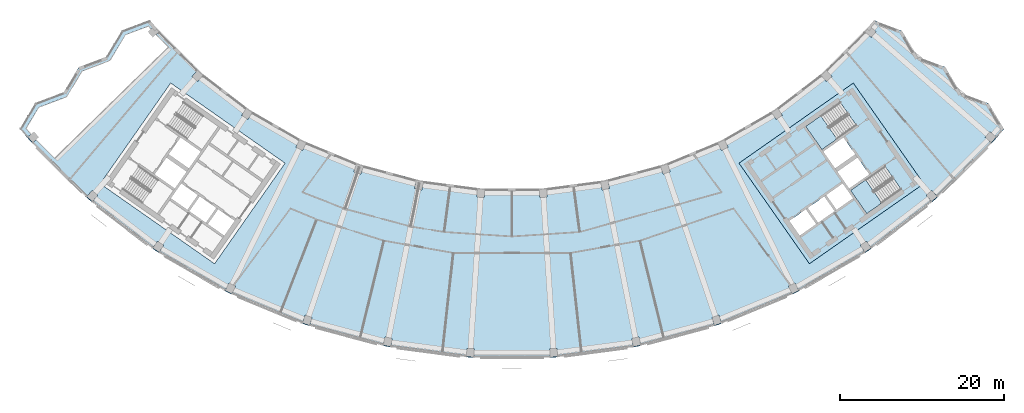
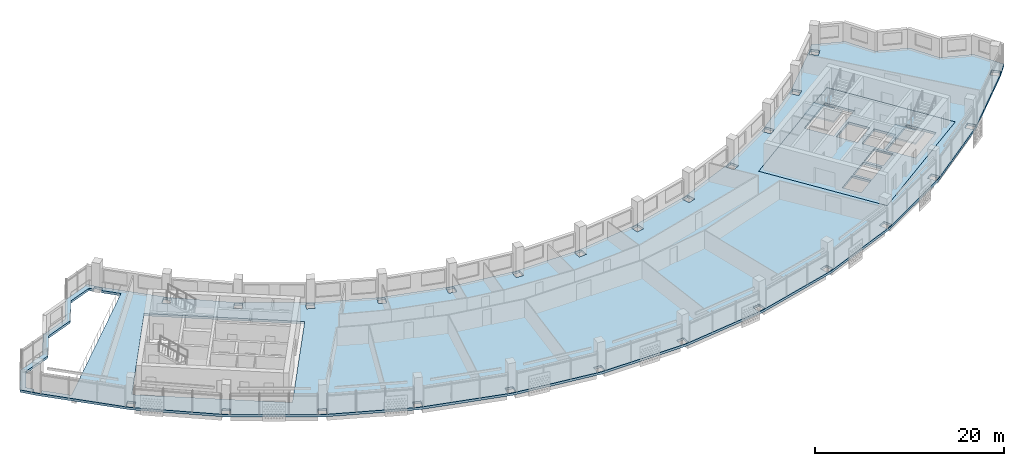
# One storey, part 2 of 29: 4 slabs, 2 elements without a shape of their own.
"""IFC4 building model written with IfcOpenShell, lengths in metres."""

from ifc_helpers import new_model, si_unit, direction, frame, origin, place, context, subcontext, project, spatial, polyline, outline, extrude, material, layer, layer_set, type_object, element, aggregate, save


model = new_model("IFC4")

# Units and contexts
model_context = context("Model", 3, precision=1e-05, world=origin(), true_north=direction((0.0, 1.0)))
body_context = subcontext(model_context, "Body", "Model", "MODEL_VIEW")
ifc_project = project(units=[si_unit("LENGTHUNIT", "METRE"), si_unit("AREAUNIT", "SQUARE_METRE"), si_unit("VOLUMEUNIT", "CUBIC_METRE"), si_unit("PLANEANGLEUNIT", "RADIAN"), si_unit("MASSUNIT", "GRAM", prefix="KILO")], contexts=[model_context])

# Site, building, storey
site_placement = place(None, origin())
site = spatial("IfcSite", under=ifc_project, at=site_placement, CompositionType="ELEMENT")
building_placement = place(site_placement, origin())
building = spatial("IfcBuilding", under=site, at=building_placement, Name="Qamariyya Broadcast Tower", CompositionType="ELEMENT")
storey_placement = place(building_placement, frame((0.0, 0.0, 261.89990234375)))
storey = spatial("IfcBuildingStorey", under=building, at=storey_placement, Name="L63", CompositionType="ELEMENT", Elevation=261.89990234375)

# Slabs
ifc_material_1 = material(Name="Concrete C40/50", Category="concrete")
ifc_layer_1 = layer(ifc_material_1, 0.300048828125)
ifc_layer_set_1 = layer_set([ifc_layer_1], Name="Core floor slab 300 mm Concrete C40/50")
slab_type_1 = type_object("IfcSlabType", Name="Core floor slab 300 mm Concrete C40/50", PredefinedType="FLOOR", material=ifc_layer_set_1)
slab_1_placement = place(storey_placement, frame((0.0, 0.0, -0.2998046875)))
element("IfcSlab", 1, at=slab_1_placement, inside=storey, type_object=slab_type_1, Name="k-E-L63-slab", PredefinedType="FLOOR", context=body_context, shape_type="SweptSolid", body=[
    extrude(outline(polyline([(36.32373046875, -66.734375), (50.286376953125, -56.95751953125), (41.6826171875, -44.67041015625), (27.719970703125, -54.447021484375), (36.32373046875, -66.734375)]), holes=[polyline([(33.87353515625, -61.49169921875), (35.88037109375, -60.08642578125), (37.142333984375, -61.888427734375), (35.13525390625, -63.293701171875), (33.87353515625, -61.49169921875)]), polyline([(36.126220703125, -59.914306640625), (38.133056640625, -58.509033203125), (39.394775390625, -60.311279296875), (37.387939453125, -61.716552734375), (36.126220703125, -59.914306640625)]), polyline([(38.378662109375, -58.3369140625), (40.3857421875, -56.931640625), (41.6474609375, -58.73388671875), (39.640625, -60.13916015625), (38.378662109375, -58.3369140625)]), polyline([(39.742431640625, -55.489990234375), (42.199951171875, -53.769287109375), (43.6337890625, -55.817138671875), (41.17626953125, -57.537841796875), (39.742431640625, -55.489990234375)]), polyline([(39.45556640625, -55.080322265625), (41.9130859375, -53.359619140625), (40.47900390625, -51.311767578125), (38.021728515625, -53.032470703125), (39.45556640625, -55.080322265625)]), polyline([(40.082275390625, -47.01171875), (35.870849609375, -49.960693359375), (37.849609375, -52.78662109375), (42.06103515625, -49.837890625), (40.082275390625, -47.01171875)]), polyline([(45.559814453125, -54.834716796875), (41.348388671875, -57.783447265625), (43.3271484375, -60.609619140625), (47.538818359375, -57.66064453125), (45.559814453125, -54.834716796875)])]), origin(), (0.0, 0.0, 1.0), 0.2998046875),
])
ifc_layer_2 = layer(ifc_material_1, 0.300048828125)
ifc_layer_set_2 = layer_set([ifc_layer_2], Name="Post-tensioned floor slab 300 C40/50")
slab_type_2 = type_object("IfcSlabType", Name="Post-tensioned floor slab 300 C40/50", PredefinedType="FLOOR", material=ifc_layer_set_2)
slab_2_placement = place(storey_placement, frame((0.0, 0.0, -0.2998046875)))
element("IfcSlab", 2, at=slab_2_placement, inside=storey, type_object=slab_type_2, Name="Floor slab S4 L63", PredefinedType="FLOOR", context=body_context, shape_type="SweptSolid", body=[
    extrude(outline(polyline([(-58.20361328125, -47.141845703125), (-60.086669921875, -50.2822265625), (-58.90673828125, -51.65966796875), (-51.65966796875, -58.90673828125), (-43.52880859375, -65.145751953125), (-34.6533203125, -70.27001953125), (-25.184814453125, -74.19189453125), (-15.285400390625, -76.844482421875), (-5.124267578125, -78.18212890625), (5.124267578125, -78.18212890625), (15.285400390625, -76.844482421875), (25.184814453125, -74.19189453125), (34.6533203125, -70.27001953125), (43.52880859375, -65.145751953125), (51.65966796875, -58.90673828125), (58.90673828125, -51.65966796875), (60.086669921875, -50.2822265625), (58.20361328125, -47.141845703125), (54.795166015625, -45.854248046875), (52.9111328125, -42.713134765625), (49.50341796875, -41.426025390625), (47.61865234375, -38.2841796875), (44.2119140625, -36.997802734375), (43.343505859375, -38.01123046875), (38.01123046875, -43.343505859375), (32.028564453125, -47.934326171875), (25.498046875, -51.704833984375), (18.531005859375, -54.590576171875), (11.2470703125, -56.542236328125), (3.7705078125, -57.526611328125), (-3.7705078125, -57.526611328125), (-11.2470703125, -56.542236328125), (-18.531005859375, -54.590576171875), (-25.498046875, -51.704833984375), (-32.028564453125, -47.934326171875), (-38.01123046875, -43.343505859375), (-43.343505859375, -38.01123046875), (-44.2119140625, -36.997802734375), (-47.61865234375, -38.2841796875), (-49.50341796875, -41.426025390625), (-52.9111328125, -42.713134765625), (-54.795166015625, -45.854248046875), (-58.20361328125, -47.141845703125)]), holes=[polyline([(-4.668701171875, -78.11181640625), (-5.56689453125, -78.052978515625), (-5.50146484375, -77.05517578125), (-4.603271484375, -77.114013671875), (-4.668701171875, -78.11181640625)]), polyline([(-15.707275390625, -76.65869140625), (-15.511962890625, -75.677978515625), (-14.62939453125, -75.853515625), (-14.824462890625, -76.834228515625), (-15.707275390625, -76.65869140625)]), polyline([(-25.578857421875, -73.95263671875), (-25.25732421875, -73.005615234375), (-24.405029296875, -73.294921875), (-24.7265625, -74.241943359375), (-25.578857421875, -73.95263671875)]), polyline([(-35.0126953125, -69.981201171875), (-34.5703125, -69.08447265625), (-33.76318359375, -69.482421875), (-34.20556640625, -70.37939453125), (-35.0126953125, -69.981201171875)]), polyline([(-43.847412109375, -64.8125), (-43.2919921875, -63.98095703125), (-42.543701171875, -64.48095703125), (-43.09912109375, -65.3125), (-43.847412109375, -64.8125)]), polyline([(-51.93212890625, -58.53466796875), (-51.272705078125, -57.782958984375), (-50.59619140625, -58.376220703125), (-51.25537109375, -59.128173828125), (-51.93212890625, -58.53466796875)]), polyline([(-4.29150390625, -58.5947265625), (-4.22607421875, -57.596923828125), (-3.327880859375, -57.65576171875), (-3.393310546875, -58.653564453125), (-4.29150390625, -58.5947265625)]), polyline([(-11.90283203125, -57.533447265625), (-11.707763671875, -56.552490234375), (-10.8251953125, -56.72802734375), (-11.020263671875, -57.708984375), (-11.90283203125, -57.533447265625)]), polyline([(-50.286376953125, -56.95751953125), (-41.6826171875, -44.67041015625), (-27.719970703125, -54.447021484375), (-36.32373046875, -66.734375), (-50.286376953125, -56.95751953125)]), polyline([(-19.310791015625, -55.487548828125), (-18.9892578125, -54.54052734375), (-18.136962890625, -54.829833984375), (-18.45849609375, -55.77685546875), (-19.310791015625, -55.487548828125)]), polyline([(-26.387939453125, -52.4921875), (-25.94580078125, -51.595458984375), (-25.138671875, -51.993408203125), (-25.580810546875, -52.890380859375), (-26.387939453125, -52.4921875)]), polyline([(-58.748291015625, -50.92236328125), (-59.349853515625, -50.22021484375), (-57.79638671875, -47.62939453125), (-54.5830078125, -46.41552734375), (-54.5302734375, -46.392578125), (-54.480224609375, -46.364990234375), (-54.432861328125, -46.33251953125), (-54.388916015625, -46.295654296875), (-54.3486328125, -46.2548828125), (-54.312255859375, -46.21044921875), (-54.280517578125, -46.162841796875), (-52.50390625, -43.20068359375), (-49.29150390625, -41.9873046875), (-49.23876953125, -41.96435546875), (-49.188720703125, -41.936767578125), (-49.141357421875, -41.904296875), (-49.09716796875, -41.86767578125), (-49.056884765625, -41.826904296875), (-49.020751953125, -41.7822265625), (-48.989013671875, -41.734619140625), (-47.21142578125, -38.771728515625), (-44.3935546875, -37.707763671875), (-44.08740234375, -38.065185546875), (-43.71533203125, -37.739013671875), (-43.1220703125, -38.41552734375), (-43.476806640625, -38.7265625), (-41.956298828125, -40.2470703125), (-55.857666015625, -53.860107421875), (-58.1357421875, -51.582275390625), (-58.53466796875, -51.93212890625), (-59.128173828125, -51.25537109375), (-58.748291015625, -50.92236328125)]), polyline([(-33.013916015625, -48.598876953125), (-32.458251953125, -47.767333984375), (-31.7099609375, -48.267333984375), (-32.265625, -49.098876953125), (-33.013916015625, -48.598876953125)]), polyline([(-39.074951171875, -43.873779296875), (-38.41552734375, -43.1220703125), (-37.739013671875, -43.71533203125), (-38.398193359375, -44.46728515625), (-39.074951171875, -43.873779296875)]), polyline([(4.668701171875, -78.11181640625), (4.603271484375, -77.114013671875), (5.50146484375, -77.05517578125), (5.56689453125, -78.052978515625), (4.668701171875, -78.11181640625)]), polyline([(14.824462890625, -76.834228515625), (14.62939453125, -75.853515625), (15.511962890625, -75.677978515625), (15.707275390625, -76.65869140625), (14.824462890625, -76.834228515625)]), polyline([(24.7265625, -74.241943359375), (24.405029296875, -73.294921875), (25.25732421875, -73.005615234375), (25.578857421875, -73.95263671875), (24.7265625, -74.241943359375)]), polyline([(34.20556640625, -70.37939453125), (33.76318359375, -69.482421875), (34.5703125, -69.08447265625), (35.0126953125, -69.981201171875), (34.20556640625, -70.37939453125)]), polyline([(43.09912109375, -65.3125), (42.543701171875, -64.48095703125), (43.2919921875, -63.98095703125), (43.847412109375, -64.8125), (43.09912109375, -65.3125)]), polyline([(51.25537109375, -59.128173828125), (50.59619140625, -58.376220703125), (51.272705078125, -57.782958984375), (51.93212890625, -58.53466796875), (51.25537109375, -59.128173828125)]), polyline([(3.393310546875, -58.653564453125), (3.327880859375, -57.65576171875), (4.22607421875, -57.596923828125), (4.29150390625, -58.5947265625), (3.393310546875, -58.653564453125)]), polyline([(11.020263671875, -57.708984375), (10.8251953125, -56.72802734375), (11.707763671875, -56.552490234375), (11.90283203125, -57.533447265625), (11.020263671875, -57.708984375)]), polyline([(36.32373046875, -66.734375), (27.719970703125, -54.447021484375), (41.6826171875, -44.67041015625), (50.286376953125, -56.95751953125), (36.32373046875, -66.734375)]), polyline([(18.45849609375, -55.77685546875), (18.136962890625, -54.829833984375), (18.9892578125, -54.54052734375), (19.310791015625, -55.487548828125), (18.45849609375, -55.77685546875)]), polyline([(25.580810546875, -52.890380859375), (25.138671875, -51.993408203125), (25.94580078125, -51.595458984375), (26.387939453125, -52.4921875), (25.580810546875, -52.890380859375)]), polyline([(58.53466796875, -51.93212890625), (57.782958984375, -51.272705078125), (58.376220703125, -50.59619140625), (59.128173828125, -51.25537109375), (58.53466796875, -51.93212890625)]), polyline([(32.265625, -49.098876953125), (31.7099609375, -48.267333984375), (32.458251953125, -47.767333984375), (33.013916015625, -48.598876953125), (32.265625, -49.098876953125)]), polyline([(38.398193359375, -44.46728515625), (37.739013671875, -43.71533203125), (38.41552734375, -43.1220703125), (39.074951171875, -43.873779296875), (38.398193359375, -44.46728515625)]), polyline([(43.873779296875, -39.074951171875), (43.1220703125, -38.41552734375), (43.71533203125, -37.739013671875), (44.46728515625, -38.398193359375), (43.873779296875, -39.074951171875)])]), origin(), (0.0, 0.0, 1.0), 0.2998046875),
])

# Stair, slab
ifc_material_2 = material(Name="Concrete C50/60", Category="concrete")
stair_type = type_object("IfcStairType", Name="Exit stair 22 risers of 173 mm", PredefinedType="HALF_TURN_STAIR", material=ifc_material_2)
stair_1_placement = place(storey_placement, origin())
stair_1 = element("IfcStair", 3, at=stair_1_placement, inside=storey, type_object=stair_type, Name="L63 Stair E2", PredefinedType="HALF_TURN_STAIR")
ifc_layer_3 = layer(ifc_material_2, 0.199951171875)
ifc_layer_set_3 = layer_set([ifc_layer_3], Name="Stair landing")
slab_type_3 = type_object("IfcSlabType", Name="Stair landing", PredefinedType="LANDING", material=ifc_layer_set_3)
slab_3_placement = place(storey_placement, frame((0.0, 0.0, 1.7001953125)))
slab_3 = element("IfcSlab", 4, at=slab_3_placement, type_object=slab_type_3, Name="ST-E2 landing 1", PredefinedType="LANDING", context=body_context, shape_type="SweptSolid", body=[
    extrude(outline(polyline([(37.71337890625, -48.67041015625), (35.870849609375, -49.960693359375), (37.849609375, -52.78662109375), (39.692138671875, -51.49658203125), (37.71337890625, -48.67041015625)])), origin(), (0.0, 0.0, 1.0), 0.199951171875),
])
aggregate(stair_1, [slab_3])

stair_2_placement = place(storey_placement, origin())
stair_2 = element("IfcStair", 5, at=stair_2_placement, inside=storey, type_object=stair_type, Name="L63 Stair E1", PredefinedType="HALF_TURN_STAIR")
slab_4_placement = place(storey_placement, frame((0.0, 0.0, 1.7001953125)))
slab_4 = element("IfcSlab", 6, at=slab_4_placement, type_object=slab_type_3, Name="ST-E1 landing 1", PredefinedType="LANDING", context=body_context, shape_type="SweptSolid", body=[
    extrude(outline(polyline([(43.19091796875, -56.493408203125), (41.348388671875, -57.783447265625), (43.3271484375, -60.609619140625), (45.169677734375, -59.319580078125), (43.19091796875, -56.493408203125)])), origin(), (0.0, 0.0, 1.0), 0.199951171875),
])
aggregate(stair_2, [slab_4])

save(model, "model.ifc")
